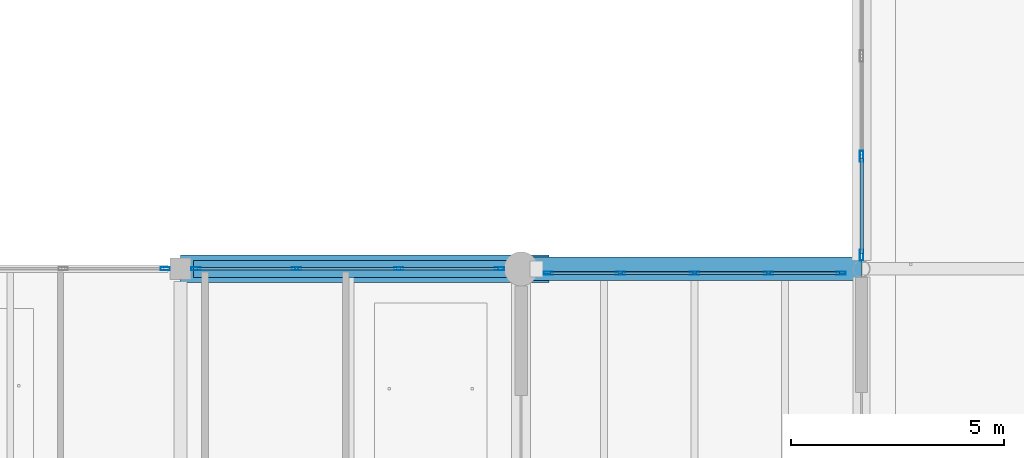
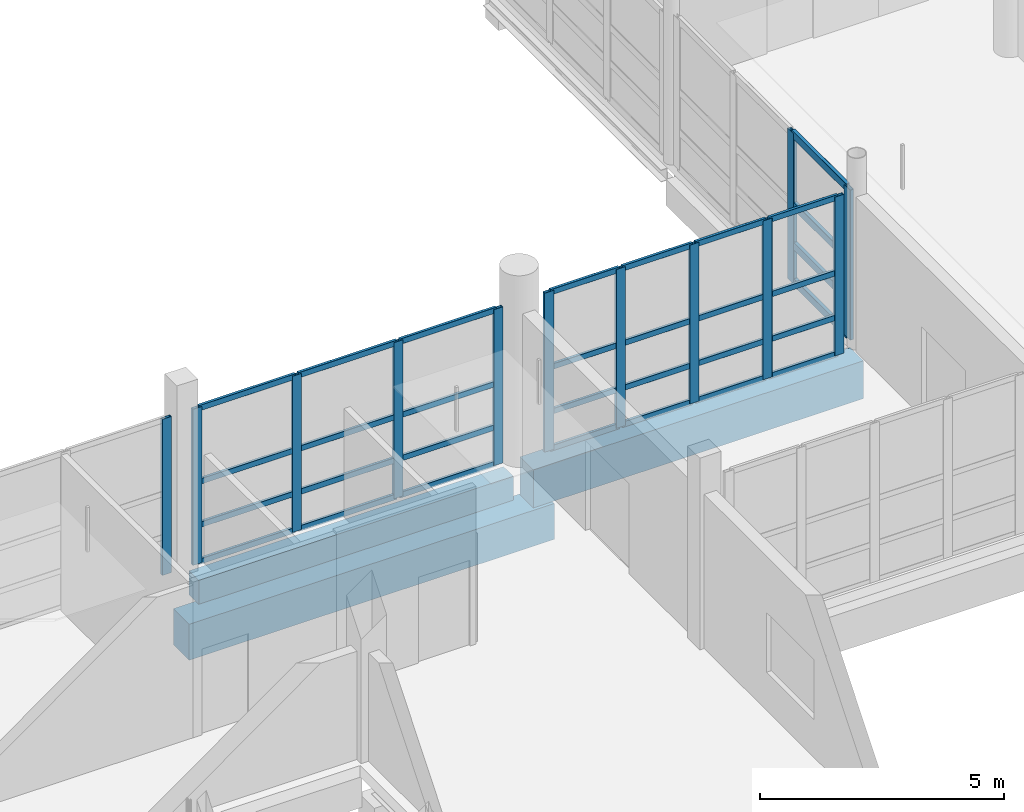
# One storey, part 47 of 141: 44 members, 3 beams, 4 elements without a shape of their own.
"""IFC4 building model written with IfcOpenShell, lengths in metres."""

from ifc_helpers import new_model, si_unit, direction, frame, origin, origin_2d, place, context, subcontext, project, spatial, rectangle, hollow_rectangle, extrude, material, material_profile, profile_set, type_object, element, aggregate, save


model = new_model("IFC4")

# Units and contexts
model_context = context("Model", 3, precision=1e-05, world=origin(), true_north=direction((0.0, 1.0)))
body_context = subcontext(model_context, "Body", "Model", "MODEL_VIEW")
ifc_project = project(units=[si_unit("LENGTHUNIT", "METRE"), si_unit("AREAUNIT", "SQUARE_METRE"), si_unit("VOLUMEUNIT", "CUBIC_METRE"), si_unit("PLANEANGLEUNIT", "RADIAN"), si_unit("MASSUNIT", "GRAM", prefix="KILO")], contexts=[model_context])

# Site, building, storey
site_placement = place(None, origin())
site = spatial("IfcSite", under=ifc_project, at=site_placement, CompositionType="ELEMENT")
building_placement = place(site_placement, origin())
building = spatial("IfcBuilding", under=site, at=building_placement, Name="Khelvaren Railside Concert Hall", CompositionType="ELEMENT")
storey_placement = place(building_placement, frame((0.0, 0.0, 10.199951171875)))
storey = spatial("IfcBuildingStorey", under=building, at=storey_placement, Name="L02", CompositionType="ELEMENT", Elevation=10.199951171875)

# Beam
ifc_material_1 = material(Name="Concrete C40/50", Category="concrete")
ifc_material_profile_1 = material_profile(ifc_material_1, rectangle(XDim=0.64990234375, YDim=0.89990234375, at=origin_2d()), Name="RCB 650x900")
ifc_profile_set_1 = profile_set([ifc_material_profile_1], Name="Concrete C40/50")
beam_type_1 = type_object("IfcBeamType", Name="BM18", PredefinedType="BEAM", material=ifc_profile_set_1)
beam_1_placement = place(storey_placement, frame((128.0, 15.199951171875, -1.659912109375), z_axis=(1.0, 0.0, 0.0), x_axis=(0.0, 1.0, 0.0)))
element("IfcBeam", 1, at=beam_1_placement, inside=storey, type_object=beam_type_1, Name="East Rehearsal Link Bridge L02 Seismic Corbel Seat 2", PredefinedType="BEAM", context=body_context, shape_type="SweptSolid", body=[
    extrude(rectangle(XDim=0.64990234375, YDim=0.89990234375, at=origin_2d()), origin(), (0.0, 0.0, 1.0), 8.64990234375),
])

# Curtain wall, member
ifc_material_2 = material(Name="Double-glazed clear foyer glass", Category="glass")
curtain_wall_type_1 = type_object("IfcCurtainWallType", Name="CW68", PredefinedType="USERDEFINED", material=ifc_material_2)
curtain_wall_1_placement = place(storey_placement, origin())
curtain_wall_1 = element("IfcCurtainWall", 2, at=curtain_wall_1_placement, inside=storey, type_object=curtain_wall_type_1, Name="Unitised Curtain Wall CW-V3-L02-N-120", ObjectType="UNITISED CURTAIN WALL", PredefinedType="USERDEFINED")
ifc_material_3 = material(Name="Anodised architectural aluminium 6063-T6", Category="aluminium")
ifc_material_profile_2 = material_profile(ifc_material_3, hollow_rectangle(XDim=0.074951171875, YDim=0.219970703125, WallThickness=0.0048828125, InnerFilletRadius=0.0029296875, OuterFilletRadius=0.0048828125, at=origin_2d()), Name="CWM 75x220x5")
ifc_profile_set_2 = profile_set([ifc_material_profile_2], Name="Anodised architectural aluminium 6063-T6")
member_type_1 = type_object("IfcMemberType", Name="CWM13", PredefinedType="MULLION", material=ifc_profile_set_2)
member_1_placement = place(storey_placement, frame((127.639892578125, 15.199951171875, 0.0), z_axis=(0.0, 0.0, 1.0), x_axis=(0.0, 1.0, 0.0)))
member_1 = element("IfcMember", 3, at=member_1_placement, type_object=member_type_1, Name="CW68 mullion 4", PredefinedType="MULLION", context=body_context, shape_type="SweptSolid", body=[
    extrude(hollow_rectangle(XDim=0.074951171875, YDim=0.219970703125, WallThickness=0.0048828125, InnerFilletRadius=0.0029296875, OuterFilletRadius=0.0048828125, at=origin_2d()), origin(), (0.0, 0.0, 1.0), 3.91015625),
])
aggregate(curtain_wall_1, [member_1])

# Curtain wall, members
curtain_wall_type_2 = type_object("IfcCurtainWallType", Name="CW70", PredefinedType="USERDEFINED", material=ifc_material_2)
curtain_wall_2_placement = place(storey_placement, origin())
curtain_wall_2 = element("IfcCurtainWall", 4, at=curtain_wall_2_placement, inside=storey, type_object=curtain_wall_type_2, Name="Unitised Curtain Wall CW-V3-L02-N-128", ObjectType="UNITISED CURTAIN WALL", PredefinedType="USERDEFINED")
member_2_placement = place(storey_placement, frame((128.360107421875, 15.199951171875, 0.0), z_axis=(0.0, 0.0, 1.0), x_axis=(0.0, 1.0, 0.0)))
member_2 = element("IfcMember", 5, at=member_2_placement, type_object=member_type_1, Name="CW70 mullion 1", PredefinedType="MULLION", context=body_context, shape_type="SweptSolid", body=[
    extrude(hollow_rectangle(XDim=0.074951171875, YDim=0.219970703125, WallThickness=0.0048828125, InnerFilletRadius=0.0029296875, OuterFilletRadius=0.0048828125, at=origin_2d()), origin(), (0.0, 0.0, 1.0), 3.91015625),
])
member_3_placement = place(storey_placement, frame((130.72412109375, 15.199951171875, 0.0), z_axis=(0.0, 0.0, 1.0), x_axis=(0.0, 1.0, 0.0)))
member_3 = element("IfcMember", 6, at=member_3_placement, type_object=member_type_1, Name="CW70 mullion 2", PredefinedType="MULLION", context=body_context, shape_type="SweptSolid", body=[
    extrude(hollow_rectangle(XDim=0.074951171875, YDim=0.219970703125, WallThickness=0.0048828125, InnerFilletRadius=0.0029296875, OuterFilletRadius=0.0048828125, at=origin_2d()), origin(), (0.0, 0.0, 1.0), 3.91015625),
])
member_4_placement = place(storey_placement, frame((133.125732421875, 15.199951171875, 0.0), z_axis=(0.0, 0.0, 1.0), x_axis=(0.0, 1.0, 0.0)))
member_4 = element("IfcMember", 7, at=member_4_placement, type_object=member_type_1, Name="CW70 mullion 3", PredefinedType="MULLION", context=body_context, shape_type="SweptSolid", body=[
    extrude(hollow_rectangle(XDim=0.074951171875, YDim=0.219970703125, WallThickness=0.0048828125, InnerFilletRadius=0.0029296875, OuterFilletRadius=0.0048828125, at=origin_2d()), origin(), (0.0, 0.0, 1.0), 3.91015625),
])
member_5_placement = place(storey_placement, frame((135.489990234375, 15.199951171875, 0.0), z_axis=(0.0, 0.0, 1.0), x_axis=(0.0, 1.0, 0.0)))
member_5 = element("IfcMember", 8, at=member_5_placement, type_object=member_type_1, Name="CW70 mullion 4", PredefinedType="MULLION", context=body_context, shape_type="SweptSolid", body=[
    extrude(hollow_rectangle(XDim=0.074951171875, YDim=0.219970703125, WallThickness=0.0048828125, InnerFilletRadius=0.0029296875, OuterFilletRadius=0.0048828125, at=origin_2d()), origin(), (0.0, 0.0, 1.0), 3.91015625),
])

curtain_wall_type_3 = type_object("IfcCurtainWallType", Name="CW47", PredefinedType="USERDEFINED", material=ifc_material_2)
curtain_wall_3_placement = place(storey_placement, origin())
curtain_wall_3 = element("IfcCurtainWall", 9, at=curtain_wall_3_placement, inside=storey, type_object=curtain_wall_type_3, Name="Unitised Curtain Wall CW-LB2-L02-N", ObjectType="UNITISED CURTAIN WALL", PredefinedType="USERDEFINED")
member_6_placement = place(storey_placement, frame((136.637451171875, 15.10009765625, 0.0), z_axis=(0.0, 0.0, 1.0), x_axis=(0.0, 1.0, 0.0)))
member_6 = element("IfcMember", 10, at=member_6_placement, type_object=member_type_1, Name="CW47 mullion 1", PredefinedType="MULLION", context=body_context, shape_type="SweptSolid", body=[
    extrude(hollow_rectangle(XDim=0.074951171875, YDim=0.219970703125, WallThickness=0.0048828125, InnerFilletRadius=0.0029296875, OuterFilletRadius=0.0048828125, at=origin_2d()), origin(), (0.0, 0.0, 1.0), 3.97998046875),
])
member_7_placement = place(storey_placement, frame((138.33740234375, 15.10009765625, 0.0), z_axis=(0.0, 0.0, 1.0), x_axis=(0.0, 1.0, 0.0)))
member_7 = element("IfcMember", 11, at=member_7_placement, type_object=member_type_1, Name="CW47 mullion 2", PredefinedType="MULLION", context=body_context, shape_type="SweptSolid", body=[
    extrude(hollow_rectangle(XDim=0.074951171875, YDim=0.219970703125, WallThickness=0.0048828125, InnerFilletRadius=0.0029296875, OuterFilletRadius=0.0048828125, at=origin_2d()), origin(), (0.0, 0.0, 1.0), 3.97998046875),
])
member_8_placement = place(storey_placement, frame((140.074951171875, 15.10009765625, 0.0), z_axis=(0.0, 0.0, 1.0), x_axis=(0.0, 1.0, 0.0)))
member_8 = element("IfcMember", 12, at=member_8_placement, type_object=member_type_1, Name="CW47 mullion 3", PredefinedType="MULLION", context=body_context, shape_type="SweptSolid", body=[
    extrude(hollow_rectangle(XDim=0.074951171875, YDim=0.219970703125, WallThickness=0.0048828125, InnerFilletRadius=0.0029296875, OuterFilletRadius=0.0048828125, at=origin_2d()), origin(), (0.0, 0.0, 1.0), 3.97998046875),
])
member_9_placement = place(storey_placement, frame((141.8125, 15.10009765625, 0.0), z_axis=(0.0, 0.0, 1.0), x_axis=(0.0, 1.0, 0.0)))
member_9 = element("IfcMember", 13, at=member_9_placement, type_object=member_type_1, Name="CW47 mullion 4", PredefinedType="MULLION", context=body_context, shape_type="SweptSolid", body=[
    extrude(hollow_rectangle(XDim=0.074951171875, YDim=0.219970703125, WallThickness=0.0048828125, InnerFilletRadius=0.0029296875, OuterFilletRadius=0.0048828125, at=origin_2d()), origin(), (0.0, 0.0, 1.0), 3.97998046875),
])
member_10_placement = place(storey_placement, frame((143.512451171875, 15.10009765625, 0.0), z_axis=(0.0, 0.0, 1.0), x_axis=(0.0, 1.0, 0.0)))
member_10 = element("IfcMember", 14, at=member_10_placement, type_object=member_type_1, Name="CW47 mullion 5", PredefinedType="MULLION", context=body_context, shape_type="SweptSolid", body=[
    extrude(hollow_rectangle(XDim=0.074951171875, YDim=0.219970703125, WallThickness=0.0048828125, InnerFilletRadius=0.0029296875, OuterFilletRadius=0.0048828125, at=origin_2d()), origin(), (0.0, 0.0, 1.0), 3.97998046875),
])

ifc_material_4 = material(Name="Acoustic laminated crystal facade glass", Category="glass")
curtain_wall_type_4 = type_object("IfcCurtainWallType", Name="CW54", PredefinedType="USERDEFINED", material=ifc_material_4)
curtain_wall_4_placement = place(storey_placement, origin())
curtain_wall_4 = element("IfcCurtainWall", 15, at=curtain_wall_4_placement, inside=storey, type_object=curtain_wall_type_4, Name="Unitised Curtain Wall CW-V2-L02-W-15", ObjectType="UNITISED CURTAIN WALL", PredefinedType="USERDEFINED")
ifc_material_profile_3 = material_profile(ifc_material_3, hollow_rectangle(XDim=0.0849609375, YDim=0.260009765625, WallThickness=0.0048828125, InnerFilletRadius=0.0029296875, OuterFilletRadius=0.0048828125, at=origin_2d()), Name="CWM 85x260x5")
ifc_profile_set_3 = profile_set([ifc_material_profile_3], Name="Anodised architectural aluminium 6063-T6")
member_type_2 = type_object("IfcMemberType", Name="CWM40", PredefinedType="MULLION", material=ifc_profile_set_3)
member_11_placement = place(storey_placement, frame((144.0, 15.523193359375, 0.0), z_axis=(0.0, 0.0, 1.0), x_axis=(-1.0, 0.0, 0.0)))
member_11 = element("IfcMember", 16, at=member_11_placement, type_object=member_type_2, Name="CW54 mullion 1", PredefinedType="MULLION", context=body_context, shape_type="SweptSolid", body=[
    extrude(hollow_rectangle(XDim=0.0849609375, YDim=0.260009765625, WallThickness=0.0048828125, InnerFilletRadius=0.0029296875, OuterFilletRadius=0.0048828125, at=origin_2d()), origin(), (0.0, 0.0, 1.0), 3.760009765625),
])
member_12_placement = place(storey_placement, frame((144.0, 17.840576171875, 0.0), z_axis=(0.0, 0.0, 1.0), x_axis=(-1.0, 0.0, 0.0)))
member_12 = element("IfcMember", 17, at=member_12_placement, type_object=member_type_2, Name="CW54 mullion 2", PredefinedType="MULLION", context=body_context, shape_type="SweptSolid", body=[
    extrude(hollow_rectangle(XDim=0.0849609375, YDim=0.260009765625, WallThickness=0.0048828125, InnerFilletRadius=0.0029296875, OuterFilletRadius=0.0048828125, at=origin_2d()), origin(), (0.0, 0.0, 1.0), 3.760009765625),
])
ifc_material_profile_4 = material_profile(ifc_material_3, hollow_rectangle(XDim=0.0849609375, YDim=0.18994140625, WallThickness=0.0048828125, InnerFilletRadius=0.0029296875, OuterFilletRadius=0.0048828125, at=origin_2d()), Name="CWT 85x190x5")
ifc_profile_set_4 = profile_set([ifc_material_profile_4], Name="Anodised architectural aluminium 6063-T6")
member_type_3 = type_object("IfcMemberType", Name="CWT31", PredefinedType="USERDEFINED", material=ifc_profile_set_4)
member_13_placement = place(storey_placement, frame((144.0, 15.565673828125, 0.04248046875), z_axis=(0.0, 1.0, 0.0), x_axis=(-1.0, 0.0, 0.0)))
member_13 = element("IfcMember", 18, at=member_13_placement, type_object=member_type_3, Name="CW54 transom 1.1", ObjectType="TRANSOM", PredefinedType="USERDEFINED", context=body_context, shape_type="SweptSolid", body=[
    extrude(hollow_rectangle(XDim=0.0849609375, YDim=0.18994140625, WallThickness=0.0048828125, InnerFilletRadius=0.0029296875, OuterFilletRadius=0.0048828125, at=origin_2d()), origin(), (0.0, 0.0, 1.0), 2.232421875),
])
member_14_placement = place(storey_placement, frame((144.0, 15.565673828125, 0.949951171875), z_axis=(0.0, 1.0, 0.0), x_axis=(-1.0, 0.0, 0.0)))
member_14 = element("IfcMember", 19, at=member_14_placement, type_object=member_type_3, Name="CW54 transom 1.2", ObjectType="TRANSOM", PredefinedType="USERDEFINED", context=body_context, shape_type="SweptSolid", body=[
    extrude(hollow_rectangle(XDim=0.0849609375, YDim=0.18994140625, WallThickness=0.0048828125, InnerFilletRadius=0.0029296875, OuterFilletRadius=0.0048828125, at=origin_2d()), origin(), (0.0, 0.0, 1.0), 2.232421875),
])
member_15_placement = place(storey_placement, frame((144.0, 15.565673828125, 1.955322265625), z_axis=(0.0, 1.0, 0.0), x_axis=(-1.0, 0.0, 0.0)))
member_15 = element("IfcMember", 20, at=member_15_placement, type_object=member_type_3, Name="CW54 transom 1.3", ObjectType="TRANSOM", PredefinedType="USERDEFINED", context=body_context, shape_type="SweptSolid", body=[
    extrude(hollow_rectangle(XDim=0.0849609375, YDim=0.18994140625, WallThickness=0.0048828125, InnerFilletRadius=0.0029296875, OuterFilletRadius=0.0048828125, at=origin_2d()), origin(), (0.0, 0.0, 1.0), 2.232421875),
])
member_16_placement = place(storey_placement, frame((144.0, 15.565673828125, 3.717529296875), z_axis=(0.0, 1.0, 0.0), x_axis=(-1.0, 0.0, 0.0)))
member_16 = element("IfcMember", 21, at=member_16_placement, type_object=member_type_3, Name="CW54 transom 1.4", ObjectType="TRANSOM", PredefinedType="USERDEFINED", context=body_context, shape_type="SweptSolid", body=[
    extrude(hollow_rectangle(XDim=0.0849609375, YDim=0.18994140625, WallThickness=0.0048828125, InnerFilletRadius=0.0029296875, OuterFilletRadius=0.0048828125, at=origin_2d()), origin(), (0.0, 0.0, 1.0), 2.232421875),
])
aggregate(curtain_wall_4, [member_11, member_12, member_13, member_14, member_15, member_16])

# Member
ifc_material_profile_5 = material_profile(ifc_material_3, hollow_rectangle(XDim=0.06494140625, YDim=0.139892578125, WallThickness=0.00390625, InnerFilletRadius=0.001953125, OuterFilletRadius=0.00390625, at=origin_2d()), Name="CWT 65x140x4")
ifc_profile_set_5 = profile_set([ifc_material_profile_5], Name="Anodised architectural aluminium 6063-T6")
member_type_4 = type_object("IfcMemberType", Name="CWT72", PredefinedType="USERDEFINED", material=ifc_profile_set_5)
member_17_placement = place(storey_placement, frame((128.3974609375, 15.199951171875, 0.032470703125), z_axis=(1.0, 0.0, 0.0), x_axis=(0.0, 1.0, 0.0)))
member_17 = element("IfcMember", 22, at=member_17_placement, type_object=member_type_4, Name="CW70 transom 1.1", ObjectType="TRANSOM", PredefinedType="USERDEFINED", context=body_context, shape_type="SweptSolid", body=[
    extrude(hollow_rectangle(XDim=0.06494140625, YDim=0.139892578125, WallThickness=0.00390625, InnerFilletRadius=0.001953125, OuterFilletRadius=0.00390625, at=origin_2d()), origin(), (0.0, 0.0, 1.0), 2.289306640625),
])

member_18_placement = place(storey_placement, frame((128.3974609375, 15.199951171875, 0.949951171875), z_axis=(1.0, 0.0, 0.0), x_axis=(0.0, 1.0, 0.0)))
member_18 = element("IfcMember", 23, at=member_18_placement, type_object=member_type_4, Name="CW70 transom 1.2", ObjectType="TRANSOM", PredefinedType="USERDEFINED", context=body_context, shape_type="SweptSolid", body=[
    extrude(hollow_rectangle(XDim=0.06494140625, YDim=0.139892578125, WallThickness=0.00390625, InnerFilletRadius=0.001953125, OuterFilletRadius=0.00390625, at=origin_2d()), origin(), (0.0, 0.0, 1.0), 2.289306640625),
])

member_19_placement = place(storey_placement, frame((128.3974609375, 15.199951171875, 2.033203125), z_axis=(1.0, 0.0, 0.0), x_axis=(0.0, 1.0, 0.0)))
member_19 = element("IfcMember", 24, at=member_19_placement, type_object=member_type_4, Name="CW70 transom 1.3", ObjectType="TRANSOM", PredefinedType="USERDEFINED", context=body_context, shape_type="SweptSolid", body=[
    extrude(hollow_rectangle(XDim=0.06494140625, YDim=0.139892578125, WallThickness=0.00390625, InnerFilletRadius=0.001953125, OuterFilletRadius=0.00390625, at=origin_2d()), origin(), (0.0, 0.0, 1.0), 2.289306640625),
])

member_20_placement = place(storey_placement, frame((128.3974609375, 15.199951171875, 3.87744140625), z_axis=(1.0, 0.0, 0.0), x_axis=(0.0, 1.0, 0.0)))
member_20 = element("IfcMember", 25, at=member_20_placement, type_object=member_type_4, Name="CW70 transom 1.4", ObjectType="TRANSOM", PredefinedType="USERDEFINED", context=body_context, shape_type="SweptSolid", body=[
    extrude(hollow_rectangle(XDim=0.06494140625, YDim=0.139892578125, WallThickness=0.00390625, InnerFilletRadius=0.001953125, OuterFilletRadius=0.00390625, at=origin_2d()), origin(), (0.0, 0.0, 1.0), 2.289306640625),
])

member_21_placement = place(storey_placement, frame((130.76171875, 15.199951171875, 0.032470703125), z_axis=(1.0, 0.0, 0.0), x_axis=(0.0, 1.0, 0.0)))
member_21 = element("IfcMember", 26, at=member_21_placement, type_object=member_type_4, Name="CW70 transom 2.1", ObjectType="TRANSOM", PredefinedType="USERDEFINED", context=body_context, shape_type="SweptSolid", body=[
    extrude(hollow_rectangle(XDim=0.06494140625, YDim=0.139892578125, WallThickness=0.00390625, InnerFilletRadius=0.001953125, OuterFilletRadius=0.00390625, at=origin_2d()), origin(), (0.0, 0.0, 1.0), 2.32666015625),
])

member_22_placement = place(storey_placement, frame((130.76171875, 15.199951171875, 0.949951171875), z_axis=(1.0, 0.0, 0.0), x_axis=(0.0, 1.0, 0.0)))
member_22 = element("IfcMember", 27, at=member_22_placement, type_object=member_type_4, Name="CW70 transom 2.2", ObjectType="TRANSOM", PredefinedType="USERDEFINED", context=body_context, shape_type="SweptSolid", body=[
    extrude(hollow_rectangle(XDim=0.06494140625, YDim=0.139892578125, WallThickness=0.00390625, InnerFilletRadius=0.001953125, OuterFilletRadius=0.00390625, at=origin_2d()), origin(), (0.0, 0.0, 1.0), 2.32666015625),
])

member_23_placement = place(storey_placement, frame((130.76171875, 15.199951171875, 2.033203125), z_axis=(1.0, 0.0, 0.0), x_axis=(0.0, 1.0, 0.0)))
member_23 = element("IfcMember", 28, at=member_23_placement, type_object=member_type_4, Name="CW70 transom 2.3", ObjectType="TRANSOM", PredefinedType="USERDEFINED", context=body_context, shape_type="SweptSolid", body=[
    extrude(hollow_rectangle(XDim=0.06494140625, YDim=0.139892578125, WallThickness=0.00390625, InnerFilletRadius=0.001953125, OuterFilletRadius=0.00390625, at=origin_2d()), origin(), (0.0, 0.0, 1.0), 2.32666015625),
])

member_24_placement = place(storey_placement, frame((130.76171875, 15.199951171875, 3.87744140625), z_axis=(1.0, 0.0, 0.0), x_axis=(0.0, 1.0, 0.0)))
member_24 = element("IfcMember", 29, at=member_24_placement, type_object=member_type_4, Name="CW70 transom 2.4", ObjectType="TRANSOM", PredefinedType="USERDEFINED", context=body_context, shape_type="SweptSolid", body=[
    extrude(hollow_rectangle(XDim=0.06494140625, YDim=0.139892578125, WallThickness=0.00390625, InnerFilletRadius=0.001953125, OuterFilletRadius=0.00390625, at=origin_2d()), origin(), (0.0, 0.0, 1.0), 2.32666015625),
])

member_25_placement = place(storey_placement, frame((133.163330078125, 15.199951171875, 0.032470703125), z_axis=(1.0, 0.0, 0.0), x_axis=(0.0, 1.0, 0.0)))
member_25 = element("IfcMember", 30, at=member_25_placement, type_object=member_type_4, Name="CW70 transom 3.1", ObjectType="TRANSOM", PredefinedType="USERDEFINED", context=body_context, shape_type="SweptSolid", body=[
    extrude(hollow_rectangle(XDim=0.06494140625, YDim=0.139892578125, WallThickness=0.00390625, InnerFilletRadius=0.001953125, OuterFilletRadius=0.00390625, at=origin_2d()), origin(), (0.0, 0.0, 1.0), 2.2890625),
])

member_26_placement = place(storey_placement, frame((133.163330078125, 15.199951171875, 0.949951171875), z_axis=(1.0, 0.0, 0.0), x_axis=(0.0, 1.0, 0.0)))
member_26 = element("IfcMember", 31, at=member_26_placement, type_object=member_type_4, Name="CW70 transom 3.2", ObjectType="TRANSOM", PredefinedType="USERDEFINED", context=body_context, shape_type="SweptSolid", body=[
    extrude(hollow_rectangle(XDim=0.06494140625, YDim=0.139892578125, WallThickness=0.00390625, InnerFilletRadius=0.001953125, OuterFilletRadius=0.00390625, at=origin_2d()), origin(), (0.0, 0.0, 1.0), 2.2890625),
])

member_27_placement = place(storey_placement, frame((133.163330078125, 15.199951171875, 2.033203125), z_axis=(1.0, 0.0, 0.0), x_axis=(0.0, 1.0, 0.0)))
member_27 = element("IfcMember", 32, at=member_27_placement, type_object=member_type_4, Name="CW70 transom 3.3", ObjectType="TRANSOM", PredefinedType="USERDEFINED", context=body_context, shape_type="SweptSolid", body=[
    extrude(hollow_rectangle(XDim=0.06494140625, YDim=0.139892578125, WallThickness=0.00390625, InnerFilletRadius=0.001953125, OuterFilletRadius=0.00390625, at=origin_2d()), origin(), (0.0, 0.0, 1.0), 2.2890625),
])

member_28_placement = place(storey_placement, frame((133.163330078125, 15.199951171875, 3.87744140625), z_axis=(1.0, 0.0, 0.0), x_axis=(0.0, 1.0, 0.0)))
member_28 = element("IfcMember", 33, at=member_28_placement, type_object=member_type_4, Name="CW70 transom 3.4", ObjectType="TRANSOM", PredefinedType="USERDEFINED", context=body_context, shape_type="SweptSolid", body=[
    extrude(hollow_rectangle(XDim=0.06494140625, YDim=0.139892578125, WallThickness=0.00390625, InnerFilletRadius=0.001953125, OuterFilletRadius=0.00390625, at=origin_2d()), origin(), (0.0, 0.0, 1.0), 2.2890625),
])

aggregate(curtain_wall_2, [member_2, member_3, member_4, member_5, member_17, member_18, member_19, member_20, member_21, member_22, member_23, member_24, member_25, member_26, member_27, member_28])

member_29_placement = place(storey_placement, frame((136.675048828125, 15.10009765625, 0.032470703125), z_axis=(1.0, 0.0, 0.0), x_axis=(0.0, 1.0, 0.0)))
member_29 = element("IfcMember", 34, at=member_29_placement, type_object=member_type_4, Name="CW47 transom 1.1", ObjectType="TRANSOM", PredefinedType="USERDEFINED", context=body_context, shape_type="SweptSolid", body=[
    extrude(hollow_rectangle(XDim=0.06494140625, YDim=0.139892578125, WallThickness=0.00390625, InnerFilletRadius=0.001953125, OuterFilletRadius=0.00390625, at=origin_2d()), origin(), (0.0, 0.0, 1.0), 1.625),
])

member_30_placement = place(storey_placement, frame((136.675048828125, 15.10009765625, 0.949951171875), z_axis=(1.0, 0.0, 0.0), x_axis=(0.0, 1.0, 0.0)))
member_30 = element("IfcMember", 35, at=member_30_placement, type_object=member_type_4, Name="CW47 transom 1.2", ObjectType="TRANSOM", PredefinedType="USERDEFINED", context=body_context, shape_type="SweptSolid", body=[
    extrude(hollow_rectangle(XDim=0.06494140625, YDim=0.139892578125, WallThickness=0.00390625, InnerFilletRadius=0.001953125, OuterFilletRadius=0.00390625, at=origin_2d()), origin(), (0.0, 0.0, 1.0), 1.625),
])

member_31_placement = place(storey_placement, frame((136.675048828125, 15.10009765625, 2.069580078125), z_axis=(1.0, 0.0, 0.0), x_axis=(0.0, 1.0, 0.0)))
member_31 = element("IfcMember", 36, at=member_31_placement, type_object=member_type_4, Name="CW47 transom 1.3", ObjectType="TRANSOM", PredefinedType="USERDEFINED", context=body_context, shape_type="SweptSolid", body=[
    extrude(hollow_rectangle(XDim=0.06494140625, YDim=0.139892578125, WallThickness=0.00390625, InnerFilletRadius=0.001953125, OuterFilletRadius=0.00390625, at=origin_2d()), origin(), (0.0, 0.0, 1.0), 1.625),
])

member_32_placement = place(storey_placement, frame((136.675048828125, 15.10009765625, 3.947509765625), z_axis=(1.0, 0.0, 0.0), x_axis=(0.0, 1.0, 0.0)))
member_32 = element("IfcMember", 37, at=member_32_placement, type_object=member_type_4, Name="CW47 transom 1.4", ObjectType="TRANSOM", PredefinedType="USERDEFINED", context=body_context, shape_type="SweptSolid", body=[
    extrude(hollow_rectangle(XDim=0.06494140625, YDim=0.139892578125, WallThickness=0.00390625, InnerFilletRadius=0.001953125, OuterFilletRadius=0.00390625, at=origin_2d()), origin(), (0.0, 0.0, 1.0), 1.625),
])

member_33_placement = place(storey_placement, frame((138.375, 15.10009765625, 0.032470703125), z_axis=(1.0, 0.0, 0.0), x_axis=(0.0, 1.0, 0.0)))
member_33 = element("IfcMember", 38, at=member_33_placement, type_object=member_type_4, Name="CW47 transom 2.1", ObjectType="TRANSOM", PredefinedType="USERDEFINED", context=body_context, shape_type="SweptSolid", body=[
    extrude(hollow_rectangle(XDim=0.06494140625, YDim=0.139892578125, WallThickness=0.00390625, InnerFilletRadius=0.001953125, OuterFilletRadius=0.00390625, at=origin_2d()), origin(), (0.0, 0.0, 1.0), 1.66259765625),
])

member_34_placement = place(storey_placement, frame((138.375, 15.10009765625, 0.949951171875), z_axis=(1.0, 0.0, 0.0), x_axis=(0.0, 1.0, 0.0)))
member_34 = element("IfcMember", 39, at=member_34_placement, type_object=member_type_4, Name="CW47 transom 2.2", ObjectType="TRANSOM", PredefinedType="USERDEFINED", context=body_context, shape_type="SweptSolid", body=[
    extrude(hollow_rectangle(XDim=0.06494140625, YDim=0.139892578125, WallThickness=0.00390625, InnerFilletRadius=0.001953125, OuterFilletRadius=0.00390625, at=origin_2d()), origin(), (0.0, 0.0, 1.0), 1.66259765625),
])

member_35_placement = place(storey_placement, frame((138.375, 15.10009765625, 2.069580078125), z_axis=(1.0, 0.0, 0.0), x_axis=(0.0, 1.0, 0.0)))
member_35 = element("IfcMember", 40, at=member_35_placement, type_object=member_type_4, Name="CW47 transom 2.3", ObjectType="TRANSOM", PredefinedType="USERDEFINED", context=body_context, shape_type="SweptSolid", body=[
    extrude(hollow_rectangle(XDim=0.06494140625, YDim=0.139892578125, WallThickness=0.00390625, InnerFilletRadius=0.001953125, OuterFilletRadius=0.00390625, at=origin_2d()), origin(), (0.0, 0.0, 1.0), 1.66259765625),
])

member_36_placement = place(storey_placement, frame((138.375, 15.10009765625, 3.947509765625), z_axis=(1.0, 0.0, 0.0), x_axis=(0.0, 1.0, 0.0)))
member_36 = element("IfcMember", 41, at=member_36_placement, type_object=member_type_4, Name="CW47 transom 2.4", ObjectType="TRANSOM", PredefinedType="USERDEFINED", context=body_context, shape_type="SweptSolid", body=[
    extrude(hollow_rectangle(XDim=0.06494140625, YDim=0.139892578125, WallThickness=0.00390625, InnerFilletRadius=0.001953125, OuterFilletRadius=0.00390625, at=origin_2d()), origin(), (0.0, 0.0, 1.0), 1.66259765625),
])

member_37_placement = place(storey_placement, frame((140.112548828125, 15.10009765625, 0.032470703125), z_axis=(1.0, 0.0, 0.0), x_axis=(0.0, 1.0, 0.0)))
member_37 = element("IfcMember", 42, at=member_37_placement, type_object=member_type_4, Name="CW47 transom 3.1", ObjectType="TRANSOM", PredefinedType="USERDEFINED", context=body_context, shape_type="SweptSolid", body=[
    extrude(hollow_rectangle(XDim=0.06494140625, YDim=0.139892578125, WallThickness=0.00390625, InnerFilletRadius=0.001953125, OuterFilletRadius=0.00390625, at=origin_2d()), origin(), (0.0, 0.0, 1.0), 1.662353515625),
])

member_38_placement = place(storey_placement, frame((140.112548828125, 15.10009765625, 0.949951171875), z_axis=(1.0, 0.0, 0.0), x_axis=(0.0, 1.0, 0.0)))
member_38 = element("IfcMember", 43, at=member_38_placement, type_object=member_type_4, Name="CW47 transom 3.2", ObjectType="TRANSOM", PredefinedType="USERDEFINED", context=body_context, shape_type="SweptSolid", body=[
    extrude(hollow_rectangle(XDim=0.06494140625, YDim=0.139892578125, WallThickness=0.00390625, InnerFilletRadius=0.001953125, OuterFilletRadius=0.00390625, at=origin_2d()), origin(), (0.0, 0.0, 1.0), 1.662353515625),
])

member_39_placement = place(storey_placement, frame((140.112548828125, 15.10009765625, 2.069580078125), z_axis=(1.0, 0.0, 0.0), x_axis=(0.0, 1.0, 0.0)))
member_39 = element("IfcMember", 44, at=member_39_placement, type_object=member_type_4, Name="CW47 transom 3.3", ObjectType="TRANSOM", PredefinedType="USERDEFINED", context=body_context, shape_type="SweptSolid", body=[
    extrude(hollow_rectangle(XDim=0.06494140625, YDim=0.139892578125, WallThickness=0.00390625, InnerFilletRadius=0.001953125, OuterFilletRadius=0.00390625, at=origin_2d()), origin(), (0.0, 0.0, 1.0), 1.662353515625),
])

member_40_placement = place(storey_placement, frame((140.112548828125, 15.10009765625, 3.947509765625), z_axis=(1.0, 0.0, 0.0), x_axis=(0.0, 1.0, 0.0)))
member_40 = element("IfcMember", 45, at=member_40_placement, type_object=member_type_4, Name="CW47 transom 3.4", ObjectType="TRANSOM", PredefinedType="USERDEFINED", context=body_context, shape_type="SweptSolid", body=[
    extrude(hollow_rectangle(XDim=0.06494140625, YDim=0.139892578125, WallThickness=0.00390625, InnerFilletRadius=0.001953125, OuterFilletRadius=0.00390625, at=origin_2d()), origin(), (0.0, 0.0, 1.0), 1.662353515625),
])

member_41_placement = place(storey_placement, frame((141.85009765625, 15.10009765625, 0.032470703125), z_axis=(1.0, 0.0, 0.0), x_axis=(0.0, 1.0, 0.0)))
member_41 = element("IfcMember", 46, at=member_41_placement, type_object=member_type_4, Name="CW47 transom 4.1", ObjectType="TRANSOM", PredefinedType="USERDEFINED", context=body_context, shape_type="SweptSolid", body=[
    extrude(hollow_rectangle(XDim=0.06494140625, YDim=0.139892578125, WallThickness=0.00390625, InnerFilletRadius=0.001953125, OuterFilletRadius=0.00390625, at=origin_2d()), origin(), (0.0, 0.0, 1.0), 1.625),
])

member_42_placement = place(storey_placement, frame((141.85009765625, 15.10009765625, 0.949951171875), z_axis=(1.0, 0.0, 0.0), x_axis=(0.0, 1.0, 0.0)))
member_42 = element("IfcMember", 47, at=member_42_placement, type_object=member_type_4, Name="CW47 transom 4.2", ObjectType="TRANSOM", PredefinedType="USERDEFINED", context=body_context, shape_type="SweptSolid", body=[
    extrude(hollow_rectangle(XDim=0.06494140625, YDim=0.139892578125, WallThickness=0.00390625, InnerFilletRadius=0.001953125, OuterFilletRadius=0.00390625, at=origin_2d()), origin(), (0.0, 0.0, 1.0), 1.625),
])

member_43_placement = place(storey_placement, frame((141.85009765625, 15.10009765625, 2.069580078125), z_axis=(1.0, 0.0, 0.0), x_axis=(0.0, 1.0, 0.0)))
member_43 = element("IfcMember", 48, at=member_43_placement, type_object=member_type_4, Name="CW47 transom 4.3", ObjectType="TRANSOM", PredefinedType="USERDEFINED", context=body_context, shape_type="SweptSolid", body=[
    extrude(hollow_rectangle(XDim=0.06494140625, YDim=0.139892578125, WallThickness=0.00390625, InnerFilletRadius=0.001953125, OuterFilletRadius=0.00390625, at=origin_2d()), origin(), (0.0, 0.0, 1.0), 1.625),
])

member_44_placement = place(storey_placement, frame((141.85009765625, 15.10009765625, 3.947509765625), z_axis=(1.0, 0.0, 0.0), x_axis=(0.0, 1.0, 0.0)))
member_44 = element("IfcMember", 49, at=member_44_placement, type_object=member_type_4, Name="CW47 transom 4.4", ObjectType="TRANSOM", PredefinedType="USERDEFINED", context=body_context, shape_type="SweptSolid", body=[
    extrude(hollow_rectangle(XDim=0.06494140625, YDim=0.139892578125, WallThickness=0.00390625, InnerFilletRadius=0.001953125, OuterFilletRadius=0.00390625, at=origin_2d()), origin(), (0.0, 0.0, 1.0), 1.625),
])

aggregate(curtain_wall_3, [member_6, member_7, member_8, member_9, member_10, member_29, member_30, member_31, member_32, member_33, member_34, member_35, member_36, member_37, member_38, member_39, member_40, member_41, member_42, member_43, member_44])

# Beams
ifc_material_profile_6 = material_profile(ifc_material_1, rectangle(XDim=0.550048828125, YDim=0.949951171875, at=origin_2d()), Name="RCB 550x950")
ifc_profile_set_6 = profile_set([ifc_material_profile_6], Name="Concrete C40/50")
beam_type_2 = type_object("IfcBeamType", Name="GR75", PredefinedType="T_BEAM", material=ifc_profile_set_6)
beam_2_placement = place(storey_placement, frame((136.179931640625, 15.199951171875, -0.71484375), z_axis=(1.0, 0.0, 0.0), x_axis=(0.0, 1.0, 0.0)))
element("IfcBeam", 50, at=beam_2_placement, inside=storey, type_object=beam_type_2, Name="East Rehearsal Link Bridge L02 Bridge Girder 2", PredefinedType="T_BEAM", context=body_context, shape_type="SweptSolid", body=[
    extrude(rectangle(XDim=0.550048828125, YDim=0.949951171875, at=origin_2d()), origin(), (0.0, 0.0, 1.0), 7.820068359375),
])
ifc_material_profile_7 = material_profile(ifc_material_1, rectangle(XDim=0.39990234375, YDim=0.60009765625, at=origin_2d()), Name="RCB 400x600")
ifc_profile_set_7 = profile_set([ifc_material_profile_7], Name="Concrete C40/50")
beam_type_3 = type_object("IfcBeamType", Name="SP75", PredefinedType="SPANDREL", material=ifc_profile_set_7)
beam_3_placement = place(storey_placement, frame((128.300048828125, 15.199951171875, -0.58984375), z_axis=(1.0, 0.0, 0.0), x_axis=(0.0, 1.0, 0.0)))
element("IfcBeam", 51, at=beam_3_placement, inside=storey, type_object=beam_type_3, Name="V3 L02 Spandrel X3.9", PredefinedType="SPANDREL", context=body_context, shape_type="SweptSolid", body=[
    extrude(rectangle(XDim=0.39990234375, YDim=0.60009765625, at=origin_2d()), origin(), (0.0, 0.0, 1.0), 7.449951171875),
])

save(model, "model.ifc")
